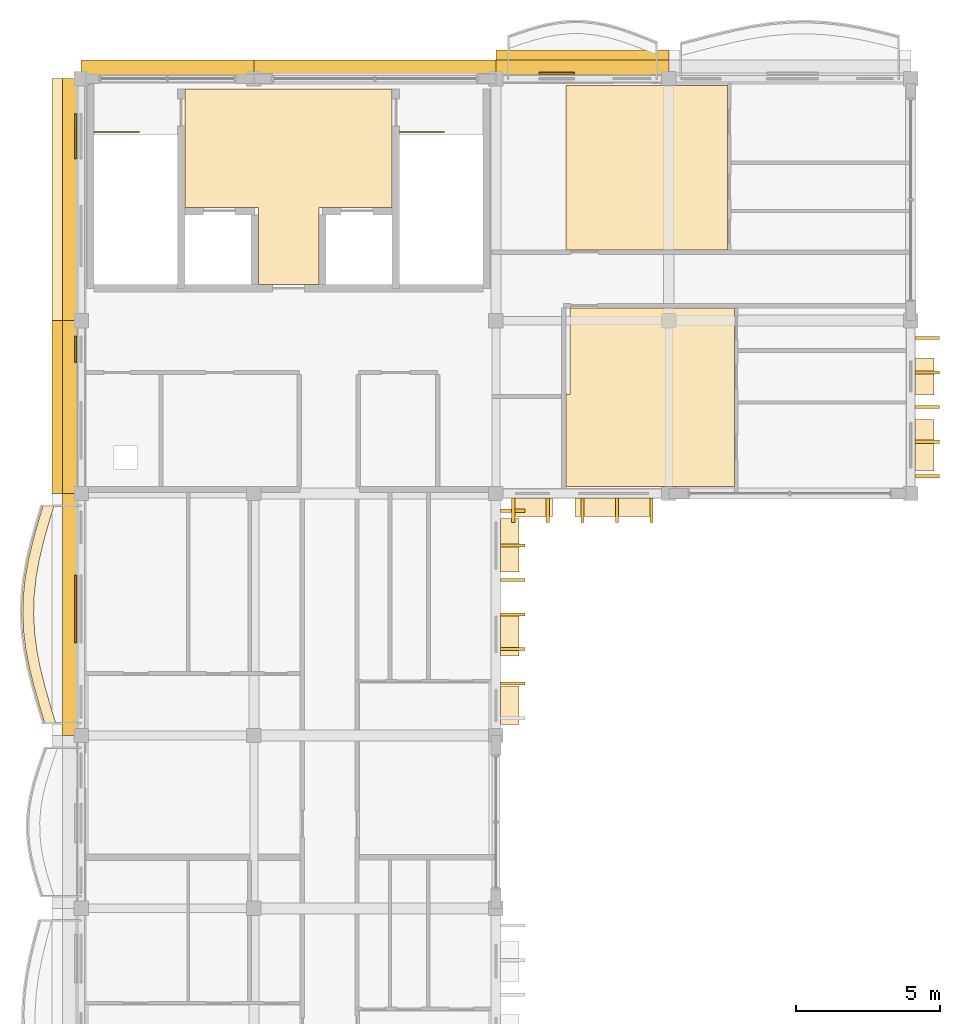
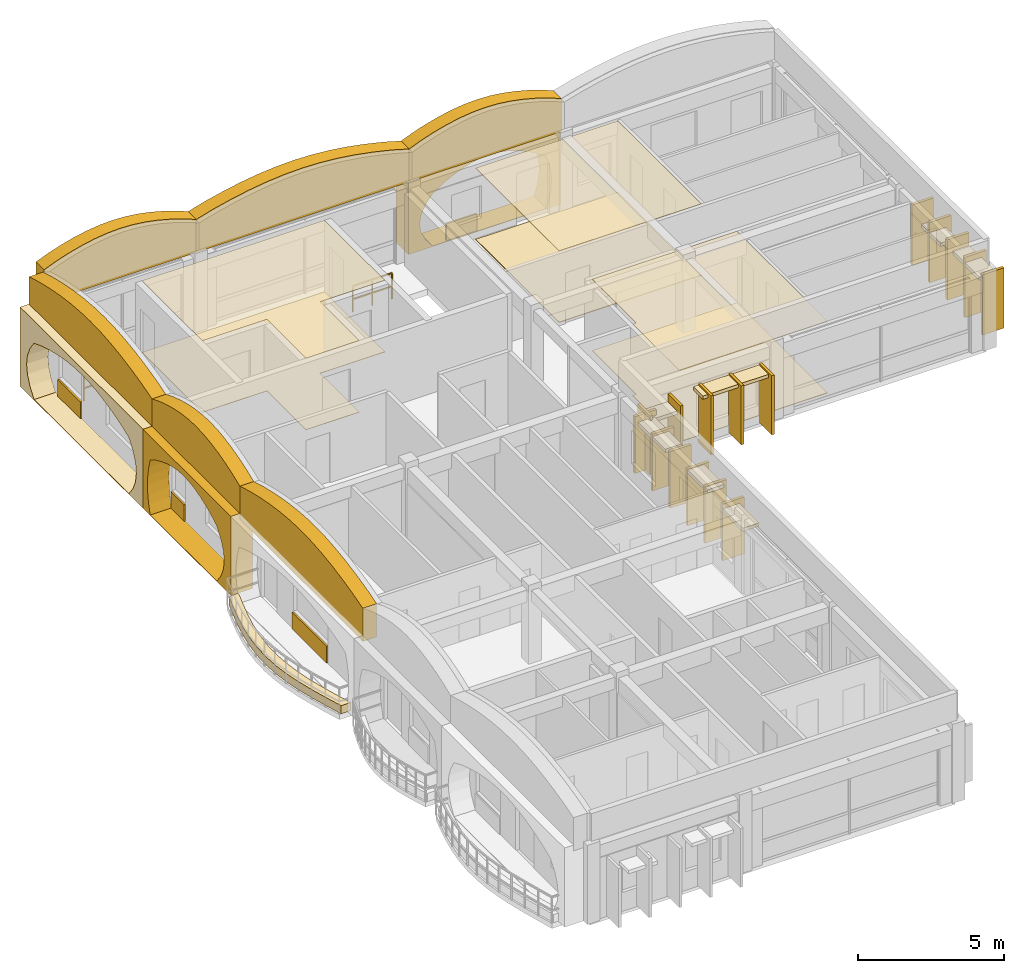
# One storey, part 11 of 12: 43 coverings, 2 railings.
"""IFC4 building model written with IfcOpenShell, lengths in metres."""

from ifc_helpers import new_model, si_unit, direction, frame, origin, origin_2d, place, context, subcontext, project, spatial, polyline, rectangle, outline, extrude, material, layer, layer_set, type_object, element, save


model = new_model("IFC4")

# Units and contexts
model_context = context("Model", 3, precision=1e-05, world=origin(), true_north=direction((0.0, 1.0)))
body_context = subcontext(model_context, "Body", "Model", "MODEL_VIEW")
ifc_project = project(units=[si_unit("LENGTHUNIT", "METRE"), si_unit("AREAUNIT", "SQUARE_METRE"), si_unit("VOLUMEUNIT", "CUBIC_METRE"), si_unit("PLANEANGLEUNIT", "RADIAN"), si_unit("MASSUNIT", "GRAM", prefix="KILO"), si_unit("THERMODYNAMICTEMPERATUREUNIT", "KELVIN")], contexts=[model_context])

# Site, building, storey
site_placement = place(None, origin())
site = spatial("IfcSite", under=ifc_project, at=site_placement, CompositionType="ELEMENT")
building_placement = place(site_placement, origin())
building = spatial("IfcBuilding", under=site, at=building_placement, Name="Thalorik Housing Commons", CompositionType="ELEMENT")
storey_placement = place(building_placement, frame((0.0, 0.0, 51.0)))
storey = spatial("IfcBuildingStorey", under=building, at=storey_placement, Name="L15", CompositionType="ELEMENT", Elevation=51.0)

# Coverings
ifc_material_1 = material(Name="Cobalt blue glazed ceramic facade tile panel", Category="masonry")
ifc_layer_1 = layer(ifc_material_1, 0.06005859375, Name="Cobalt blue glazed ceramic facade tile panel", Category="masonry")
ifc_layer_set_1 = layer_set([ifc_layer_1], Name="Cobalt blue glazed ceramic facade tile panel")
covering_type_1 = type_object("IfcCoveringType", Name="ARC-CLD-BLU-60", PredefinedType="CLADDING", material=ifc_layer_set_1)
covering_1_placement = place(storey_placement, frame((8.21240234375, 105.1923828125, 0.0498046875), z_axis=(0.0, 0.0, 1.0), x_axis=(0.0, -1.0, 0.0)))
element("IfcCovering", 1, at=covering_1_placement, inside=storey, type_object=covering_type_1, Name="L15 De Stijl Recessed Window Spandrel 1433", PredefinedType="CLADDING", context=body_context, shape_type="SweptSolid", body=[
    extrude(rectangle(XDim=2.35009765625, YDim=0.06005859375, at=origin_2d()), origin(), (0.0, 0.0, 1.0), 0.699951171875),
])
ifc_material_2 = material(Name="Precast concrete C40/50", Category="concrete")
ifc_layer_2 = layer(ifc_material_2, 0.85009765625, Name="Precast concrete C40/50", Category="concrete")
ifc_layer_set_2 = layer_set([ifc_layer_2], Name="Precast concrete C40/50")
covering_type_2 = type_object("IfcCoveringType", Name="ARC-CLD-CUSH-850", PredefinedType="CLADDING", material=ifc_layer_set_2)
covering_2_placement = place(storey_placement, frame((25.800048828125, 124.177490234375, 0.0), z_axis=(0.0, 0.0, 1.0), x_axis=(-1.0, 0.0, 0.0)))
element("IfcCovering", 2, at=covering_2_placement, inside=storey, type_object=covering_type_2, Name="L15 White Precast Curved Cushion Bay Frame 1426", PredefinedType="CLADDING", context=body_context, shape_type="SweptSolid", body=[
    extrude(outline(polyline([(-3.0, 0.0), (3.0, 0.0), (3.0, 3.300048828125), (-3.0, 3.300048828125), (-3.0, 0.0)]), holes=[polyline([(2.0400390625, 0.02490234375), (2.3232421875, 0.387451171875), (2.493408203125, 0.75), (2.550048828125, 1.112548828125), (2.493408203125, 1.47509765625), (2.3232421875, 1.83740234375), (2.0400390625, 2.199951171875), (1.66748046875, 2.455810546875), (1.294921875, 2.656494140625), (0.922607421875, 2.819091796875), (0.550048828125, 2.940185546875), (0.177490234375, 3.014892578125), (-0.195068359375, 3.0400390625), (-0.5673828125, 3.014892578125), (-0.93994140625, 2.940185546875), (-1.3125, 2.819091796875), (-1.68505859375, 2.656494140625), (-2.0576171875, 2.455810546875), (-2.429931640625, 2.199951171875), (-2.55029296875, 1.83740234375), (-2.62255859375, 1.47509765625), (-2.646484375, 1.112548828125), (-2.62255859375, 0.75), (-2.55029296875, 0.387451171875), (-2.429931640625, 0.02490234375), (2.0400390625, 0.02490234375)])]), frame((0.0, 0.425048828125, 0.0), z_axis=(0.0, -1.0, 0.0), x_axis=(1.0, 0.0, 0.0)), (0.0, 0.0, 1.0), 0.85009765625),
])
covering_3_placement = place(storey_placement, frame((7.822509765625, 119.39990234375, 0.0), z_axis=(0.0, 0.0, 1.0), x_axis=(0.0, -1.0, 0.0)))
element("IfcCovering", 3, at=covering_3_placement, inside=storey, type_object=covering_type_2, Name="L15 White Precast Curved Cushion Bay Frame 1428", PredefinedType="CLADDING", context=body_context, shape_type="SweptSolid", body=[
    extrude(outline(polyline([(-4.199951171875, 0.0), (4.199951171875, 0.0), (4.199951171875, 3.300048828125), (-4.199951171875, 3.300048828125), (-4.199951171875, 0.0)]), holes=[polyline([(3.239990234375, 0.02490234375), (3.523193359375, 0.415771484375), (3.693359375, 0.806640625), (3.75, 1.197509765625), (3.693359375, 1.58837890625), (3.523193359375, 1.979248046875), (3.239990234375, 2.3701171875), (2.699951171875, 2.573974609375), (2.159912109375, 2.734130859375), (1.6201171875, 2.864013671875), (1.080078125, 2.960205078125), (0.5400390625, 3.02001953125), (0.0, 3.0400390625), (-0.5400390625, 3.02001953125), (-1.080078125, 2.960205078125), (-1.6201171875, 2.864013671875), (-2.159912109375, 2.734130859375), (-2.699951171875, 2.573974609375), (-3.239990234375, 2.3701171875), (-3.523193359375, 1.979248046875), (-3.693359375, 1.58837890625), (-3.75, 1.197509765625), (-3.693359375, 0.806640625), (-3.523193359375, 0.415771484375), (-3.239990234375, 0.02490234375), (3.239990234375, 0.02490234375)])]), frame((0.0, 0.425048828125, 0.0), z_axis=(0.0, -1.0, 0.0), x_axis=(1.0, 0.0, 0.0)), (0.0, 0.0, 1.0), 0.85009765625),
])
covering_4_placement = place(storey_placement, frame((7.822509765625, 112.199951171875, 0.0), z_axis=(0.0, 0.0, 1.0), x_axis=(0.0, -1.0, 0.0)))
element("IfcCovering", 4, at=covering_4_placement, inside=storey, type_object=covering_type_2, Name="L15 White Precast Curved Cushion Bay Frame 1430", PredefinedType="CLADDING", context=body_context, shape_type="SweptSolid", body=[
    extrude(outline(polyline([(-3.0, 0.0), (3.0, 0.0), (3.0, 3.300048828125), (-3.0, 3.300048828125), (-3.0, 0.0)]), holes=[polyline([(2.0400390625, 0.02490234375), (2.3232421875, 0.407470703125), (2.493408203125, 0.7900390625), (2.550048828125, 1.172607421875), (2.493408203125, 1.554931640625), (2.3232421875, 1.9375), (2.0400390625, 2.320068359375), (1.661376953125, 2.539306640625), (1.282470703125, 2.711181640625), (0.90380859375, 2.8505859375), (0.52490234375, 2.954345703125), (0.146240234375, 3.018310546875), (-0.232421875, 3.0400390625), (-0.611328125, 3.018310546875), (-0.989990234375, 2.954345703125), (-1.36865234375, 2.8505859375), (-1.74755859375, 2.711181640625), (-2.126220703125, 2.539306640625), (-2.5048828125, 2.320068359375), (-2.609619140625, 1.9375), (-2.672119140625, 1.554931640625), (-2.693115234375, 1.172607421875), (-2.672119140625, 0.7900390625), (-2.609619140625, 0.407470703125), (-2.5048828125, 0.02490234375), (2.0400390625, 0.02490234375)])]), frame((0.0, 0.425048828125, 0.0), z_axis=(0.0, -1.0, 0.0), x_axis=(1.0, 0.0, 0.0)), (0.0, 0.0, 1.0), 0.85009765625),
])
ifc_layer_3 = layer(ifc_material_2, 0.85009765625, Name="Precast concrete C40/50", Category="concrete")
ifc_layer_set_3 = layer_set([ifc_layer_3], Name="Precast concrete C40/50")
covering_type_3 = type_object("IfcCoveringType", Name="ARC-CLD-FIN-850", PredefinedType="CLADDING", material=ifc_layer_set_3)
for number, where, z_axis, x_axis, name in (
    (5, (23.39990234375, 108.62255859375, 0.0400390625), (0.0, 0.0, 1.0), (1.0, 0.0, 0.0), "L15 Courtyard Precast Vertical Brise-Soleil Fin 1410"),
    (6, (24.60009765625, 108.62255859375, 0.0400390625), (0.0, 0.0, 1.0), (1.0, 0.0, 0.0), "L15 Courtyard Precast Vertical Brise-Soleil Fin 1411"),
    (7, (25.800048828125, 108.62255859375, 0.0400390625), (0.0, 0.0, 1.0), (1.0, 0.0, 0.0), "L15 Courtyard Precast Vertical Brise-Soleil Fin 1412"),
    (8, (27.0, 108.62255859375, 0.0400390625), (0.0, 0.0, 1.0), (1.0, 0.0, 0.0), "L15 Courtyard Precast Vertical Brise-Soleil Fin 1413"),
    (9, (28.199951171875, 108.62255859375, 0.0400390625), (0.0, 0.0, 1.0), (1.0, 0.0, 0.0), "L15 Courtyard Precast Vertical Brise-Soleil Fin 1414"),
):
    element("IfcCovering", number, at=place(storey_placement, frame(where, z_axis=z_axis, x_axis=x_axis)), inside=storey, type_object=covering_type_3, Name=name, PredefinedType="CLADDING", context=body_context, shape_type="SweptSolid", body=[
        extrude(rectangle(XDim=0.110107421875, YDim=0.85009765625, at=origin_2d()), origin(), (0.0, 0.0, 1.0), 2.465087890625),
    ])
for number, where, z_axis, x_axis, name in (
    (10, (37.777587890625, 109.800048828125, 0.0400390625), (0.0, 0.0, 1.0), (0.0, 1.0, 0.0), "L15 Courtyard Precast Vertical Brise-Soleil Fin 1417"),
    (11, (37.777587890625, 111.0, 0.0400390625), (0.0, 0.0, 1.0), (0.0, 1.0, 0.0), "L15 Courtyard Precast Vertical Brise-Soleil Fin 1418"),
    (12, (37.777587890625, 112.199951171875, 0.0400390625), (0.0, 0.0, 1.0), (0.0, 1.0, 0.0), "L15 Courtyard Precast Vertical Brise-Soleil Fin 1419"),
    (13, (37.777587890625, 113.39990234375, 0.0400390625), (0.0, 0.0, 1.0), (0.0, 1.0, 0.0), "L15 Courtyard Precast Vertical Brise-Soleil Fin 1420"),
    (14, (37.777587890625, 114.60009765625, 0.0400390625), (0.0, 0.0, 1.0), (0.0, 1.0, 0.0), "L15 Courtyard Precast Vertical Brise-Soleil Fin 1421"),
):
    element("IfcCovering", number, at=place(storey_placement, frame(where, z_axis=z_axis, x_axis=x_axis)), inside=storey, type_object=covering_type_3, Name=name, PredefinedType="CLADDING", context=body_context, shape_type="SweptSolid", body=[
        extrude(rectangle(XDim=0.110107421875, YDim=0.85009765625, at=origin_2d()), origin(), (0.0, 0.0, 1.0), 2.514892578125),
    ])
for number, where, z_axis, x_axis, name in (
    (15, (23.37744140625, 102.60009765625, 0.0400390625), (0.0, 0.0, 1.0), (0.0, 1.0, 0.0), "L15 Courtyard Precast Vertical Brise-Soleil Fin 1456"),
    (16, (23.37744140625, 103.800048828125, 0.0400390625), (0.0, 0.0, 1.0), (0.0, 1.0, 0.0), "L15 Courtyard Precast Vertical Brise-Soleil Fin 1457"),
    (17, (23.37744140625, 105.0, 0.0400390625), (0.0, 0.0, 1.0), (0.0, 1.0, 0.0), "L15 Courtyard Precast Vertical Brise-Soleil Fin 1458"),
    (18, (23.37744140625, 106.199951171875, 0.0400390625), (0.0, 0.0, 1.0), (0.0, 1.0, 0.0), "L15 Courtyard Precast Vertical Brise-Soleil Fin 1459"),
    (19, (23.37744140625, 107.39990234375, 0.0400390625), (0.0, 0.0, 1.0), (0.0, 1.0, 0.0), "L15 Courtyard Precast Vertical Brise-Soleil Fin 1460"),
    (20, (23.37744140625, 108.60009765625, 0.0400390625), (0.0, 0.0, 1.0), (0.0, 1.0, 0.0), "L15 Courtyard Precast Vertical Brise-Soleil Fin 1461"),
):
    element("IfcCovering", number, at=place(storey_placement, frame(where, z_axis=z_axis, x_axis=x_axis)), inside=storey, type_object=covering_type_3, Name=name, PredefinedType="CLADDING", context=body_context, shape_type="SweptSolid", body=[
        extrude(rectangle(XDim=0.110107421875, YDim=0.85009765625, at=origin_2d()), origin(), (0.0, 0.0, 1.0), 2.364990234375),
    ])
ifc_layer_4 = layer(ifc_material_2, 0.64990234375, Name="Precast concrete C40/50", Category="concrete")
ifc_layer_set_4 = layer_set([ifc_layer_4], Name="Precast concrete C40/50")
covering_type_4 = type_object("IfcCoveringType", Name="ARC-CLD-HOOD-650", PredefinedType="CLADDING", material=ifc_layer_set_4)
covering_5_placement = place(storey_placement, frame((24.070068359375, 108.722412109375, 2.0400390625), z_axis=(0.0, 0.0, 1.0), x_axis=(1.0, 0.0, 0.0)))
element("IfcCovering", 21, at=covering_5_placement, inside=storey, type_object=covering_type_4, Name="L15 Courtyard Precast Window Sun-Hood 1415", PredefinedType="CLADDING", context=body_context, shape_type="SweptSolid", body=[
    extrude(rectangle(XDim=1.389892578125, YDim=0.64990234375, at=origin_2d()), origin(), (0.0, 0.0, 1.0), 0.139892578125),
])
covering_6_placement = place(storey_placement, frame((26.8798828125, 108.722412109375, 2.31005859375), z_axis=(0.0, 0.0, 1.0), x_axis=(1.0, 0.0, 0.0)))
element("IfcCovering", 22, at=covering_6_placement, inside=storey, type_object=covering_type_4, Name="L15 Courtyard Precast Window Sun-Hood 1416", PredefinedType="CLADDING", context=body_context, shape_type="SweptSolid", body=[
    extrude(rectangle(XDim=2.659912109375, YDim=0.64990234375, at=origin_2d()), origin(), (0.0, 0.0, 1.0), 0.139892578125),
])
covering_7_placement = place(storey_placement, frame((37.677490234375, 110.87548828125, 2.18994140625), z_axis=(0.0, 0.0, 1.0), x_axis=(0.0, 1.0, 0.0)))
element("IfcCovering", 23, at=covering_7_placement, inside=storey, type_object=covering_type_4, Name="L15 Courtyard Precast Window Sun-Hood 1422", PredefinedType="CLADDING", context=body_context, shape_type="SweptSolid", body=[
    extrude(rectangle(XDim=1.7900390625, YDim=0.64990234375, at=origin_2d()), origin(), (0.0, 0.0, 1.0), 0.139892578125),
])
covering_8_placement = place(storey_placement, frame((37.677490234375, 113.26513671875, 1.990234375), z_axis=(0.0, 0.0, 1.0), x_axis=(0.0, 1.0, 0.0)))
element("IfcCovering", 24, at=covering_8_placement, inside=storey, type_object=covering_type_4, Name="L15 Courtyard Precast Window Sun-Hood 1423", PredefinedType="CLADDING", context=body_context, shape_type="SweptSolid", body=[
    extrude(rectangle(XDim=1.2900390625, YDim=0.64990234375, at=origin_2d()), origin(), (0.0, 0.0, 1.0), 0.139892578125),
])
covering_9_placement = place(storey_placement, frame((23.277587890625, 101.8447265625, 2.08984375), z_axis=(0.0, 0.0, 1.0), x_axis=(0.0, 1.0, 0.0)))
element("IfcCovering", 25, at=covering_9_placement, inside=storey, type_object=covering_type_4, Name="L15 Courtyard Precast Window Sun-Hood 1462", PredefinedType="CLADDING", context=body_context, shape_type="SweptSolid", body=[
    extrude(rectangle(XDim=1.340087890625, YDim=0.64990234375, at=origin_2d()), origin(), (0.0, 0.0, 1.0), 0.139892578125),
])
covering_10_placement = place(storey_placement, frame((23.277587890625, 104.312255859375, 2.240234375), z_axis=(0.0, 0.0, 1.0), x_axis=(0.0, 1.0, 0.0)))
element("IfcCovering", 26, at=covering_10_placement, inside=storey, type_object=covering_type_4, Name="L15 Courtyard Precast Window Sun-Hood 1463", PredefinedType="CLADDING", context=body_context, shape_type="SweptSolid", body=[
    extrude(rectangle(XDim=1.489990234375, YDim=0.64990234375, at=origin_2d()), origin(), (0.0, 0.0, 1.0), 0.139892578125),
])
covering_11_placement = place(storey_placement, frame((23.277587890625, 107.3974609375, 2.169921875), z_axis=(0.0, 0.0, 1.0), x_axis=(0.0, 1.0, 0.0)))
element("IfcCovering", 27, at=covering_11_placement, inside=storey, type_object=covering_type_4, Name="L15 Courtyard Precast Window Sun-Hood 1464", PredefinedType="CLADDING", context=body_context, shape_type="SweptSolid", body=[
    extrude(rectangle(XDim=1.860107421875, YDim=0.64990234375, at=origin_2d()), origin(), (0.0, 0.0, 1.0), 0.139892578125),
])
ifc_layer_5 = layer(ifc_material_2, 0.550048828125, Name="Precast concrete C40/50", Category="concrete")
ifc_layer_set_5 = layer_set([ifc_layer_5], Name="Precast concrete C40/50")
covering_type_5 = type_object("IfcCoveringType", Name="ARC-CLD-PAR-550", PredefinedType="CLADDING", material=ifc_layer_set_5)
covering_12_placement = place(storey_placement, frame((25.800048828125, 123.972412109375, 3.06005859375), z_axis=(0.0, 0.0, 1.0), x_axis=(-1.0, 0.0, 0.0)))
element("IfcCovering", 28, at=covering_12_placement, inside=storey, type_object=covering_type_5, Name="L15 Block A Scalloped White Precast Parapet Crest 1466", PredefinedType="CLADDING", context=body_context, shape_type="SweptSolid", body=[
    extrude(outline(polyline([(-3.0, 0.0), (3.0, 0.0), (3.0, 1.3798828125), (2.5, 1.58154296875), (2.0, 1.744384765625), (1.5, 1.877685546875), (1.0, 1.977294921875), (0.5, 2.0390625), (0.0, 2.06005859375), (-0.5, 2.0390625), (-1.0, 1.977294921875), (-1.5, 1.877685546875), (-2.0, 1.744384765625), (-2.5, 1.58154296875), (-3.0, 1.3798828125), (-3.0, 0.0)])), frame((0.0, 0.27490234375, 0.0), z_axis=(0.0, -1.0, 0.0), x_axis=(1.0, 0.0, 0.0)), (0.0, 0.0, 1.0), 0.550048828125),
])
covering_13_placement = place(storey_placement, frame((18.60009765625, 123.972412109375, 3.06005859375), z_axis=(0.0, 0.0, 1.0), x_axis=(-1.0, 0.0, 0.0)))
element("IfcCovering", 29, at=covering_13_placement, inside=storey, type_object=covering_type_5, Name="L15 Block A Scalloped White Precast Parapet Crest 1467", PredefinedType="CLADDING", context=body_context, shape_type="SweptSolid", body=[
    extrude(outline(polyline([(-4.199951171875, 0.0), (4.199951171875, 0.0), (4.199951171875, 1.3798828125), (3.5, 1.58154296875), (2.800048828125, 1.744384765625), (2.10009765625, 1.877685546875), (1.39990234375, 1.977294921875), (0.699951171875, 2.0390625), (0.0, 2.06005859375), (-0.699951171875, 2.0390625), (-1.39990234375, 1.977294921875), (-2.10009765625, 1.877685546875), (-2.800048828125, 1.744384765625), (-3.5, 1.58154296875), (-4.199951171875, 1.3798828125), (-4.199951171875, 0.0)])), frame((0.0, 0.27490234375, 0.0), z_axis=(0.0, -1.0, 0.0), x_axis=(1.0, 0.0, 0.0)), (0.0, 0.0, 1.0), 0.550048828125),
])
covering_14_placement = place(storey_placement, frame((11.39990234375, 123.972412109375, 3.06005859375), z_axis=(0.0, 0.0, 1.0), x_axis=(-1.0, 0.0, 0.0)))
element("IfcCovering", 30, at=covering_14_placement, inside=storey, type_object=covering_type_5, Name="L15 Block A Scalloped White Precast Parapet Crest 1468", PredefinedType="CLADDING", context=body_context, shape_type="SweptSolid", body=[
    extrude(outline(polyline([(-3.0, 0.0), (3.0, 0.0), (3.0, 1.3798828125), (2.5, 1.58154296875), (2.0, 1.744384765625), (1.5, 1.877685546875), (1.0, 1.977294921875), (0.5, 2.0390625), (0.0, 2.06005859375), (-0.5, 2.0390625), (-1.0, 1.977294921875), (-1.5, 1.877685546875), (-2.0, 1.744384765625), (-2.5, 1.58154296875), (-3.0, 1.3798828125), (-3.0, 0.0)])), frame((0.0, 0.27490234375, 0.0), z_axis=(0.0, -1.0, 0.0), x_axis=(1.0, 0.0, 0.0)), (0.0, 0.0, 1.0), 0.550048828125),
])
covering_15_placement = place(storey_placement, frame((8.027587890625, 119.39990234375, 3.06005859375), z_axis=(0.0, 0.0, 1.0), x_axis=(0.0, -1.0, 0.0)))
element("IfcCovering", 31, at=covering_15_placement, inside=storey, type_object=covering_type_5, Name="L15 Block A Scalloped White Precast Parapet Crest 1469", PredefinedType="CLADDING", context=body_context, shape_type="SweptSolid", body=[
    extrude(outline(polyline([(-4.199951171875, 0.0), (4.199951171875, 0.0), (4.199951171875, 1.3798828125), (3.5, 1.58154296875), (2.800048828125, 1.744384765625), (2.10009765625, 1.877685546875), (1.39990234375, 1.977294921875), (0.699951171875, 2.0390625), (0.0, 2.06005859375), (-0.699951171875, 2.0390625), (-1.39990234375, 1.977294921875), (-2.10009765625, 1.877685546875), (-2.800048828125, 1.744384765625), (-3.5, 1.58154296875), (-4.199951171875, 1.3798828125), (-4.199951171875, 0.0)])), frame((0.0, 0.27490234375, 0.0), z_axis=(0.0, -1.0, 0.0), x_axis=(1.0, 0.0, 0.0)), (0.0, 0.0, 1.0), 0.550048828125),
])
covering_16_placement = place(storey_placement, frame((8.027587890625, 112.199951171875, 3.06005859375), z_axis=(0.0, 0.0, 1.0), x_axis=(0.0, -1.0, 0.0)))
element("IfcCovering", 32, at=covering_16_placement, inside=storey, type_object=covering_type_5, Name="L15 Block A Scalloped White Precast Parapet Crest 1470", PredefinedType="CLADDING", context=body_context, shape_type="SweptSolid", body=[
    extrude(outline(polyline([(-3.0, 0.0), (3.0, 0.0), (3.0, 1.3798828125), (2.5, 1.58154296875), (2.0, 1.744384765625), (1.5, 1.877685546875), (1.0, 1.977294921875), (0.5, 2.0390625), (0.0, 2.06005859375), (-0.5, 2.0390625), (-1.0, 1.977294921875), (-1.5, 1.877685546875), (-2.0, 1.744384765625), (-2.5, 1.58154296875), (-3.0, 1.3798828125), (-3.0, 0.0)])), frame((0.0, 0.27490234375, 0.0), z_axis=(0.0, -1.0, 0.0), x_axis=(1.0, 0.0, 0.0)), (0.0, 0.0, 1.0), 0.550048828125),
])
covering_17_placement = place(storey_placement, frame((8.027587890625, 105.0, 3.06005859375), z_axis=(0.0, 0.0, 1.0), x_axis=(0.0, -1.0, 0.0)))
element("IfcCovering", 33, at=covering_17_placement, inside=storey, type_object=covering_type_5, Name="L15 Block A Scalloped White Precast Parapet Crest 1471", PredefinedType="CLADDING", context=body_context, shape_type="SweptSolid", body=[
    extrude(outline(polyline([(-4.199951171875, 0.0), (4.199951171875, 0.0), (4.199951171875, 1.3798828125), (3.5, 1.58154296875), (2.800048828125, 1.744384765625), (2.10009765625, 1.877685546875), (1.39990234375, 1.977294921875), (0.699951171875, 2.0390625), (0.0, 2.06005859375), (-0.699951171875, 2.0390625), (-1.39990234375, 1.977294921875), (-2.10009765625, 1.877685546875), (-2.800048828125, 1.744384765625), (-3.5, 1.58154296875), (-4.199951171875, 1.3798828125), (-4.199951171875, 0.0)])), frame((0.0, 0.27490234375, 0.0), z_axis=(0.0, -1.0, 0.0), x_axis=(1.0, 0.0, 0.0)), (0.0, 0.0, 1.0), 0.550048828125),
])
ifc_material_3 = material(Name="Terracotta red mineral fibre-cement panel", Category="masonry")
ifc_layer_6 = layer(ifc_material_3, 0.054931640625, Name="Terracotta red mineral fibre-cement panel", Category="masonry")
ifc_layer_set_6 = layer_set([ifc_layer_6], Name="Terracotta red mineral fibre-cement panel")
covering_type_6 = type_object("IfcCoveringType", Name="ARC-CLD-RED-55", PredefinedType="CLADDING", material=ifc_layer_set_6)
covering_18_placement = place(storey_placement, frame((8.215087890625, 114.205078125, 0.0498046875), z_axis=(0.0, 0.0, 1.0), x_axis=(0.0, -1.0, 0.0)))
element("IfcCovering", 34, at=covering_18_placement, inside=storey, type_object=covering_type_6, Name="L15 De Stijl Recessed Window Spandrel 1431", PredefinedType="CLADDING", context=body_context, shape_type="SweptSolid", body=[
    extrude(rectangle(XDim=0.89990234375, YDim=0.054931640625, at=origin_2d()), origin(), (0.0, 0.0, 1.0), 0.699951171875),
])
ifc_material_4 = material(Name="Mineral ochre architectural terracotta panel", Category="masonry")
ifc_layer_7 = layer(ifc_material_4, 0.06494140625, Name="Mineral ochre architectural terracotta panel", Category="masonry")
ifc_layer_set_7 = layer_set([ifc_layer_7], Name="Mineral ochre architectural terracotta panel")
covering_type_7 = type_object("IfcCoveringType", Name="ARC-CLD-YEL-65", PredefinedType="CLADDING", material=ifc_layer_set_7)
covering_19_placement = place(storey_placement, frame((24.909912109375, 123.7900390625, 0.0498046875), z_axis=(0.0, 0.0, 1.0), x_axis=(-1.0, 0.0, 0.0)))
element("IfcCovering", 35, at=covering_19_placement, inside=storey, type_object=covering_type_7, Name="L15 De Stijl Recessed Window Spandrel 1427", PredefinedType="CLADDING", context=body_context, shape_type="SweptSolid", body=[
    extrude(rectangle(XDim=1.199951171875, YDim=0.06494140625, at=origin_2d()), origin(), (0.0, 0.0, 1.0), 0.699951171875),
])
covering_20_placement = place(storey_placement, frame((8.2099609375, 121.603759765625, 0.0498046875), z_axis=(0.0, 0.0, 1.0), x_axis=(0.0, -1.0, 0.0)))
element("IfcCovering", 36, at=covering_20_placement, inside=storey, type_object=covering_type_7, Name="L15 De Stijl Recessed Window Spandrel 1429", PredefinedType="CLADDING", context=body_context, shape_type="SweptSolid", body=[
    extrude(rectangle(XDim=1.550048828125, YDim=0.06494140625, at=origin_2d()), origin(), (0.0, 0.0, 1.0), 0.699951171875),
])
ifc_material_5 = material(Name="Mineral fibre acoustic ceiling tile")
ifc_layer_8 = layer(ifc_material_5, 0.01806640625, Name="Mineral fibre acoustic ceiling tile")
ifc_layer_set_8 = layer_set([ifc_layer_8], Name="Mineral fibre acoustic ceiling tile")
covering_type_8 = type_object("IfcCoveringType", Name="ARC-COV-CEIL-02", PredefinedType="CEILING", material=ifc_layer_set_8)
covering_21_placement = place(storey_placement, frame((0.0, 0.0, 2.98193359375)))
element("IfcCovering", 37, at=covering_21_placement, inside=storey, type_object=covering_type_8, Name="L15 Block A Firefighting Lift Lobby Suspended Ceiling", PredefinedType="CEILING", context=body_context, shape_type="SweptSolid", body=[
    extrude(outline(polyline([(14.550048828125, 116.449951171875), (16.64990234375, 116.449951171875), (16.650146484375, 119.1201171875), (19.199951171875, 119.1201171875), (19.199951171875, 123.25), (12.0, 123.25), (12.0, 119.1201171875), (14.550048828125, 119.1201171875), (14.550048828125, 116.449951171875)])), origin(), (0.0, 0.0, 1.0), 0.01806640625),
])
ifc_material_6 = material(Name="Moisture-resistant gypsum bathroom ceiling")
ifc_layer_9 = layer(ifc_material_6, 0.02490234375, Name="Moisture-resistant gypsum bathroom ceiling")
ifc_layer_set_9 = layer_set([ifc_layer_9], Name="Moisture-resistant gypsum bathroom ceiling")
covering_type_9 = type_object("IfcCoveringType", Name="ARC-COV-CEIL-04", PredefinedType="CEILING", material=ifc_layer_set_9)
covering_22_placement = place(storey_placement, frame((0.0, 0.0, 2.97509765625)))
element("IfcCovering", 38, at=covering_22_placement, inside=storey, type_object=covering_type_9, Name="L15 Living Dining Room Suspended Ceiling", PredefinedType="CEILING", context=body_context, shape_type="SweptSolid", body=[
    extrude(outline(polyline([(25.22998046875, 109.43994140625), (31.074951171875, 109.43994140625), (31.074951171875, 115.639892578125), (25.364990234375, 115.639892578125), (25.36328125, 112.642822265625), (25.349853515625, 112.635009765625), (25.22998046875, 112.635009765625), (25.22998046875, 109.43994140625)])), origin(), (0.0, 0.0, 1.0), 0.02490234375),
])
ifc_material_7 = material(Name="Fire-rated calcium silicate corridor ceiling")
ifc_layer_10 = layer(ifc_material_7, 0.030029296875, Name="Fire-rated calcium silicate corridor ceiling")
ifc_layer_set_10 = layer_set([ifc_layer_10], Name="Fire-rated calcium silicate corridor ceiling")
covering_type_10 = type_object("IfcCoveringType", Name="ARC-COV-CEIL-05", PredefinedType="CEILING", material=ifc_layer_set_10)
covering_23_placement = place(storey_placement, frame((0.0, 0.0, 2.969970703125)))
element("IfcCovering", 39, at=covering_23_placement, inside=storey, type_object=covering_type_10, Name="L15 Family Lounge Suspended Ceiling", PredefinedType="CEILING", context=body_context, shape_type="SweptSolid", body=[
    extrude(outline(polyline([(30.835205078125, 117.659912109375), (30.835205078125, 123.360107421875), (25.22998046875, 123.360107421875), (25.22998046875, 117.659912109375), (30.835205078125, 117.659912109375)])), origin(), (0.0, 0.0, 1.0), 0.030029296875),
])
ifc_material_8 = material(Name="Slip-resistant quarry terracotta corridor tile", Category="masonry")
ifc_layer_11 = layer(ifc_material_8, 0.01611328125, Name="Slip-resistant quarry terracotta corridor tile", Category="masonry")
ifc_layer_set_11 = layer_set([ifc_layer_11], Name="Slip-resistant quarry terracotta corridor tile")
covering_type_11 = type_object("IfcCoveringType", Name="ARC-COV-FLR-02", PredefinedType="FLOORING", material=ifc_layer_set_11)
covering_24_placement = place(storey_placement, origin())
element("IfcCovering", 40, at=covering_24_placement, inside=storey, type_object=covering_type_11, Name="L15 Block A Firefighting Lift Lobby Flooring", PredefinedType="FLOORING", context=body_context, shape_type="SweptSolid", body=[
    extrude(outline(polyline([(14.550048828125, 116.449951171875), (16.64990234375, 116.449951171875), (16.650146484375, 119.1201171875), (19.199951171875, 119.1201171875), (19.199951171875, 123.25), (12.0, 123.25), (12.0, 119.1201171875), (14.550048828125, 119.1201171875), (14.550048828125, 116.449951171875)])), origin(), (0.0, 0.0, 1.0), 0.01611328125),
])
ifc_material_9 = material(Name="Sprung Brazilian oak assembly hall timber floor", Category="wood")
ifc_layer_12 = layer(ifc_material_9, 0.02392578125, Name="Sprung Brazilian oak assembly hall timber floor", Category="wood")
ifc_layer_set_12 = layer_set([ifc_layer_12], Name="Sprung Brazilian oak assembly hall timber floor")
covering_type_12 = type_object("IfcCoveringType", Name="ARC-COV-FLR-04", PredefinedType="FLOORING", material=ifc_layer_set_12)
covering_25_placement = place(storey_placement, origin())
element("IfcCovering", 41, at=covering_25_placement, inside=storey, type_object=covering_type_12, Name="L15 Living Dining Room Flooring", PredefinedType="FLOORING", context=body_context, shape_type="SweptSolid", body=[
    extrude(outline(polyline([(25.22998046875, 109.43994140625), (31.074951171875, 109.43994140625), (31.074951171875, 115.639892578125), (25.364990234375, 115.639892578125), (25.36328125, 112.642822265625), (25.349853515625, 112.635009765625), (25.22998046875, 112.635009765625), (25.22998046875, 109.43994140625)])), origin(), (0.0, 0.0, 1.0), 0.02392578125),
])
ifc_material_10 = material(Name="Heavy-duty porcelain metro vestibule tile")
ifc_layer_13 = layer(ifc_material_10, 0.028076171875, Name="Heavy-duty porcelain metro vestibule tile")
ifc_layer_set_13 = layer_set([ifc_layer_13], Name="Heavy-duty porcelain metro vestibule tile")
covering_type_13 = type_object("IfcCoveringType", Name="ARC-COV-FLR-05", PredefinedType="FLOORING", material=ifc_layer_set_13)
covering_26_placement = place(storey_placement, origin())
element("IfcCovering", 42, at=covering_26_placement, inside=storey, type_object=covering_type_13, Name="L15 Family Lounge Flooring", PredefinedType="FLOORING", context=body_context, shape_type="SweptSolid", body=[
    extrude(outline(polyline([(30.835205078125, 117.659912109375), (30.835205078125, 123.360107421875), (25.22998046875, 123.360107421875), (25.22998046875, 117.659912109375), (30.835205078125, 117.659912109375)])), origin(), (0.0, 0.0, 1.0), 0.028076171875),
])
ifc_material_11 = material(Name="Planted vegetated substrate and terracotta trough", Category="masonry")
ifc_layer_14 = layer(ifc_material_11, 0.340087890625, Name="Planted vegetated substrate and terracotta trough", Category="masonry")
ifc_layer_set_14 = layer_set([ifc_layer_14], Name="Planted vegetated substrate and terracotta trough")
covering_type_14 = type_object("IfcCoveringType", Name="ARC-COV-PLANTER", PredefinedType="USERDEFINED", material=ifc_layer_set_14)
covering_27_placement = place(storey_placement, origin())
element("IfcCovering", 43, at=covering_27_placement, inside=storey, type_object=covering_type_14, Name="L15 Balcony Slab-Edge Planted Trough 5416", ObjectType="PLANTER", PredefinedType="USERDEFINED", context=body_context, shape_type="SweptSolid", body=[
    extrude(outline(polyline([(7.079345703125, 108.780029296875), (6.889892578125, 108.14990234375), (6.71533203125, 107.52001953125), (6.567626953125, 106.889892578125), (6.456787109375, 106.260009765625), (6.390869140625, 105.6298828125), (6.3740234375, 105.0), (6.40771484375, 104.3701171875), (6.489013671875, 103.739990234375), (6.61279296875, 103.110107421875), (6.770263671875, 102.47998046875), (6.950439453125, 101.85009765625), (7.140625, 101.219970703125), (7.520751953125, 101.219970703125), (7.330322265625, 101.85009765625), (7.150390625, 102.47998046875), (6.992919921875, 103.110107421875), (6.869140625, 103.739990234375), (6.78759765625, 104.3701171875), (6.754150390625, 105.0), (6.77099609375, 105.6298828125), (6.8369140625, 106.260009765625), (6.947509765625, 106.889892578125), (7.095458984375, 107.52001953125), (7.27001953125, 108.14990234375), (7.459228515625, 108.780029296875), (7.079345703125, 108.780029296875)])), origin(), (0.0, 0.0, 1.0), 0.340087890625),
])

# Railings
ifc_material_12 = material(Name="Steel S355", Category="steel")
railing_type = type_object("IfcRailingType", Name="ARC-RL-STR-GRD110", PredefinedType="GUARDRAIL", material=ifc_material_12)
railing_1_placement = place(storey_placement, frame((8.85009765625, 121.75, 0.0)))
element("IfcRailing", 44, at=railing_1_placement, inside=storey, type_object=railing_type, Name="L15 ST-A1 top well guard 1", PredefinedType="GUARDRAIL", context=body_context, shape_type="SweptSolid", body=[
    extrude(rectangle(XDim=0.048095703125, YDim=0.048095703125, at=origin_2d()), frame((0.0, 0.0, 1.076171875), z_axis=(1.0, 0.0, 0.0), x_axis=(0.0, 1.0, 0.0)), (0.0, 0.0, 1.0), 1.5498046875),
    extrude(rectangle(XDim=0.048095703125, YDim=0.048095703125, at=origin_2d()), frame((0.0, 0.0, 0.52587890625), z_axis=(1.0, 0.0, 0.0), x_axis=(0.0, 1.0, 0.0)), (0.0, 0.0, 1.0), 1.5498046875),
    extrude(rectangle(XDim=0.0419921875, YDim=0.0419921875, at=origin_2d()), origin(), (0.0, 0.0, 1.0), 1.052001953125),
    extrude(rectangle(XDim=0.0419921875, YDim=0.0419921875, at=origin_2d()), frame((0.77490234375, 0.0, 0.0)), (0.0, 0.0, 1.0), 1.052001953125),
    extrude(rectangle(XDim=0.0419921875, YDim=0.0419921875, at=origin_2d()), frame((1.5498046875, 0.0, 0.0)), (0.0, 0.0, 1.0), 1.052001953125),
])
railing_2_placement = place(storey_placement, frame((19.449951171875, 121.75, 0.0)))
element("IfcRailing", 45, at=railing_2_placement, inside=storey, type_object=railing_type, Name="L15 ST-A2 top well guard 1", PredefinedType="GUARDRAIL", context=body_context, shape_type="SweptSolid", body=[
    extrude(rectangle(XDim=0.048095703125, YDim=0.048095703125, at=origin_2d()), frame((0.0, 0.0, 1.076171875), z_axis=(1.0, 0.0, 0.0), x_axis=(0.0, 1.0, 0.0)), (0.0, 0.0, 1.0), 1.550048828125),
    extrude(rectangle(XDim=0.048095703125, YDim=0.048095703125, at=origin_2d()), frame((0.0, 0.0, 0.52587890625), z_axis=(1.0, 0.0, 0.0), x_axis=(0.0, 1.0, 0.0)), (0.0, 0.0, 1.0), 1.550048828125),
    extrude(rectangle(XDim=0.0419921875, YDim=0.0419921875, at=origin_2d()), origin(), (0.0, 0.0, 1.0), 1.052001953125),
    extrude(rectangle(XDim=0.0419921875, YDim=0.0419921875, at=origin_2d()), frame((0.77490234375, 0.0, 0.0)), (0.0, 0.0, 1.0), 1.052001953125),
    extrude(rectangle(XDim=0.0419921875, YDim=0.0419921875, at=origin_2d()), frame((1.550048828125, 0.0, 0.0)), (0.0, 0.0, 1.0), 1.052001953125),
])

save(model, "model.ifc")
